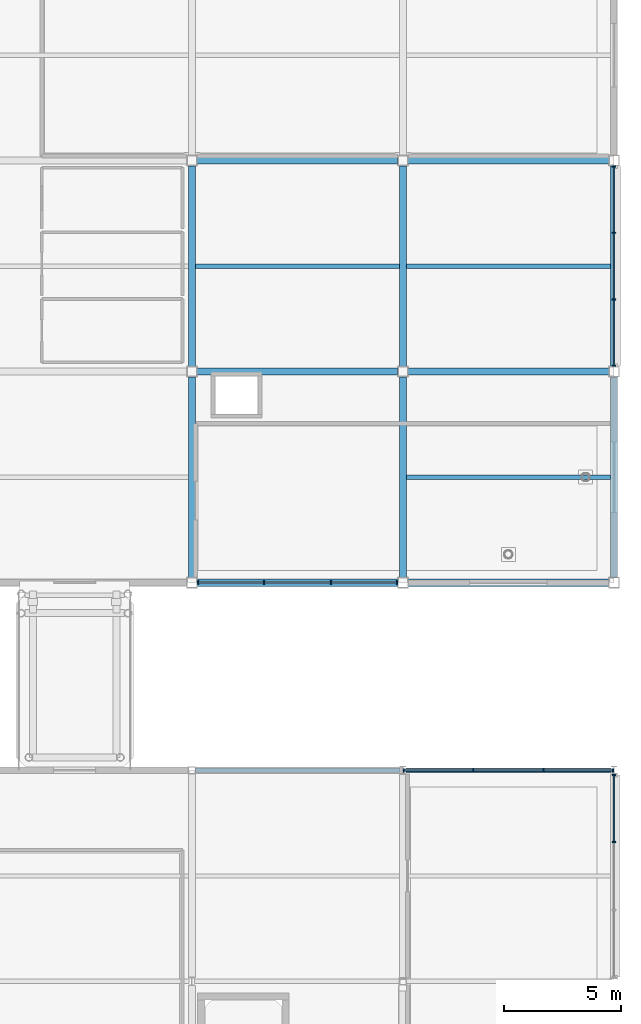
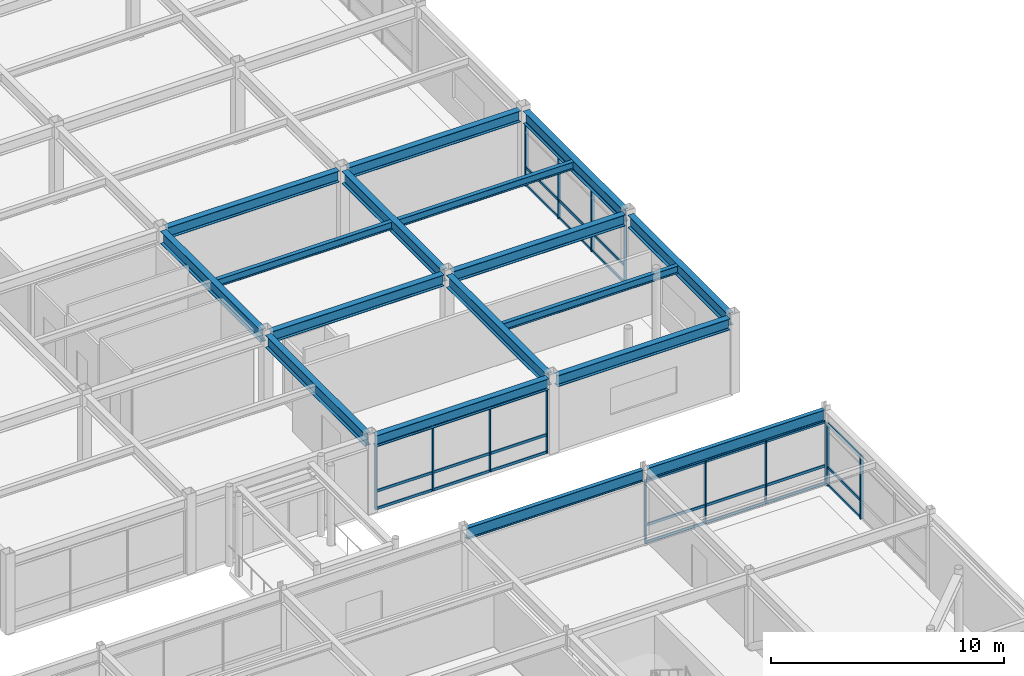
# One storey, part 57 of 108: 44 members, 17 beams, 4 elements without a shape of their own.
"""IFC4 building model written with IfcOpenShell, lengths in metres."""

from ifc_helpers import new_model, si_unit, direction, frame, origin, origin_2d, place, context, subcontext, project, spatial, rectangle, i_section, extrude, material, material_profile, profile_set, type_object, element, aggregate, save


model = new_model("IFC4")

# Units and contexts
model_context = context("Model", 3, precision=1e-05, world=origin(), true_north=direction((0.0, 1.0)))
body_context = subcontext(model_context, "Body", "Model", "MODEL_VIEW")
ifc_project = project(units=[si_unit("LENGTHUNIT", "METRE"), si_unit("AREAUNIT", "SQUARE_METRE"), si_unit("VOLUMEUNIT", "CUBIC_METRE"), si_unit("PLANEANGLEUNIT", "RADIAN"), si_unit("MASSUNIT", "GRAM", prefix="KILO")], contexts=[model_context])

# Site, building, storey
site_placement = place(None, origin())
site = spatial("IfcSite", under=ifc_project, at=site_placement, CompositionType="ELEMENT")
building_placement = place(site_placement, origin())
building = spatial("IfcBuilding", under=site, at=building_placement, Name="Suzunagisa Mobility Hub", CompositionType="ELEMENT")
storey_placement = place(building_placement, frame((0.0, 0.0, 9.300048828125)))
storey = spatial("IfcBuildingStorey", under=building, at=storey_placement, Name="L02", CompositionType="ELEMENT", Elevation=9.300048828125)

# Curtain wall, members
ifc_material_1 = material(Name="Thermally Broken Anodized Aluminum and Low-E Glazing", Category="aluminium")
curtain_wall_type_1 = type_object("IfcCurtainWallType", Name="Unitised Curtain Wall CW-12 8750x3300", PredefinedType="USERDEFINED", material=ifc_material_1)
curtain_wall_1_placement = place(storey_placement, origin())
curtain_wall_1 = element("IfcCurtainWall", 1, at=curtain_wall_1_placement, inside=storey, type_object=curtain_wall_type_1, Name="L02 Unitised Curtain Wall CW-159", ObjectType="UNITISED CURTAIN WALL", PredefinedType="USERDEFINED")
ifc_material_2 = material(Name="Anodized Aluminum 6063-T6", Category="aluminium")
ifc_material_profile_1 = material_profile(ifc_material_2, rectangle(XDim=0.06494140625, YDim=0.139892578125, at=origin_2d()), Name="TRAN-65x140")
ifc_profile_set_1 = profile_set([ifc_material_profile_1], Name="Anodized Aluminum 6063-T6")
member_type_1 = type_object("IfcMemberType", Name="Curtain Wall Framing CM-01 TRAN-65x140", PredefinedType="USERDEFINED", material=ifc_profile_set_1)
member_1_placement = place(storey_placement, frame((180.0, 32.964599609375, 0.032470703125), z_axis=(0.0, 1.0, 0.0), x_axis=(-1.0, 0.0, 0.0)))
member_1 = element("IfcMember", 2, at=member_1_placement, type_object=member_type_1, Name="Curtain Wall Transom 159-T3.1", ObjectType="TRANSOM", PredefinedType="USERDEFINED", context=body_context, shape_type="SweptSolid", body=[
    extrude(rectangle(XDim=0.06494140625, YDim=0.139892578125, at=origin_2d()), origin(), (0.0, 0.0, 1.0), 2.807373046875),
])
member_2_placement = place(storey_placement, frame((180.0, 32.964599609375, 0.949951171875), z_axis=(0.0, 1.0, 0.0), x_axis=(-1.0, 0.0, 0.0)))
member_2 = element("IfcMember", 3, at=member_2_placement, type_object=member_type_1, Name="Curtain Wall Transom 159-T3.2", ObjectType="TRANSOM", PredefinedType="USERDEFINED", context=body_context, shape_type="SweptSolid", body=[
    extrude(rectangle(XDim=0.06494140625, YDim=0.139892578125, at=origin_2d()), origin(), (0.0, 0.0, 1.0), 2.807373046875),
])
member_3_placement = place(storey_placement, frame((180.0, 32.964599609375, 3.257568359375), z_axis=(0.0, 1.0, 0.0), x_axis=(-1.0, 0.0, 0.0)))
member_3 = element("IfcMember", 4, at=member_3_placement, type_object=member_type_1, Name="Curtain Wall Transom 159-T3.3", ObjectType="TRANSOM", PredefinedType="USERDEFINED", context=body_context, shape_type="SweptSolid", body=[
    extrude(rectangle(XDim=0.06494140625, YDim=0.139892578125, at=origin_2d()), origin(), (0.0, 0.0, 1.0), 2.807373046875),
])

curtain_wall_type_2 = type_object("IfcCurtainWallType", Name="Unitised Curtain Wall CW-11 9000x3300", PredefinedType="USERDEFINED", material=ifc_material_1)
curtain_wall_2_placement = place(storey_placement, origin())
curtain_wall_2 = element("IfcCurtainWall", 5, at=curtain_wall_2_placement, inside=storey, type_object=curtain_wall_type_2, Name="L02 Unitised Curtain Wall CW-160", ObjectType="UNITISED CURTAIN WALL", PredefinedType="USERDEFINED")
member_4_placement = place(storey_placement, frame((179.9375, 36.0, 0.032470703125), z_axis=(-1.0, 0.0, 0.0), x_axis=(0.0, -1.0, 0.0)))
member_4 = element("IfcMember", 6, at=member_4_placement, type_object=member_type_1, Name="Curtain Wall Transom 160-T1.1", ObjectType="TRANSOM", PredefinedType="USERDEFINED", context=body_context, shape_type="SweptSolid", body=[
    extrude(rectangle(XDim=0.06494140625, YDim=0.139892578125, at=origin_2d()), origin(), (0.0, 0.0, 1.0), 2.910888671875),
])
member_5_placement = place(storey_placement, frame((179.9375, 36.0, 0.949951171875), z_axis=(-1.0, 0.0, 0.0), x_axis=(0.0, -1.0, 0.0)))
member_5 = element("IfcMember", 7, at=member_5_placement, type_object=member_type_1, Name="Curtain Wall Transom 160-T1.2", ObjectType="TRANSOM", PredefinedType="USERDEFINED", context=body_context, shape_type="SweptSolid", body=[
    extrude(rectangle(XDim=0.06494140625, YDim=0.139892578125, at=origin_2d()), origin(), (0.0, 0.0, 1.0), 2.910888671875),
])
member_6_placement = place(storey_placement, frame((179.9375, 36.0, 3.257568359375), z_axis=(-1.0, 0.0, 0.0), x_axis=(0.0, -1.0, 0.0)))
member_6 = element("IfcMember", 8, at=member_6_placement, type_object=member_type_1, Name="Curtain Wall Transom 160-T1.3", ObjectType="TRANSOM", PredefinedType="USERDEFINED", context=body_context, shape_type="SweptSolid", body=[
    extrude(rectangle(XDim=0.06494140625, YDim=0.139892578125, at=origin_2d()), origin(), (0.0, 0.0, 1.0), 2.910888671875),
])
member_7_placement = place(storey_placement, frame((176.970458984375, 36.0, 0.032470703125), z_axis=(-1.0, 0.0, 0.0), x_axis=(0.0, -1.0, 0.0)))
member_7 = element("IfcMember", 9, at=member_7_placement, type_object=member_type_1, Name="Curtain Wall Transom 160-T2.1", ObjectType="TRANSOM", PredefinedType="USERDEFINED", context=body_context, shape_type="SweptSolid", body=[
    extrude(rectangle(XDim=0.06494140625, YDim=0.139892578125, at=origin_2d()), origin(), (0.0, 0.0, 1.0), 2.94091796875),
])
member_8_placement = place(storey_placement, frame((176.970458984375, 36.0, 0.949951171875), z_axis=(-1.0, 0.0, 0.0), x_axis=(0.0, -1.0, 0.0)))
member_8 = element("IfcMember", 10, at=member_8_placement, type_object=member_type_1, Name="Curtain Wall Transom 160-T2.2", ObjectType="TRANSOM", PredefinedType="USERDEFINED", context=body_context, shape_type="SweptSolid", body=[
    extrude(rectangle(XDim=0.06494140625, YDim=0.139892578125, at=origin_2d()), origin(), (0.0, 0.0, 1.0), 2.94091796875),
])
member_9_placement = place(storey_placement, frame((176.970458984375, 36.0, 3.257568359375), z_axis=(-1.0, 0.0, 0.0), x_axis=(0.0, -1.0, 0.0)))
member_9 = element("IfcMember", 11, at=member_9_placement, type_object=member_type_1, Name="Curtain Wall Transom 160-T2.3", ObjectType="TRANSOM", PredefinedType="USERDEFINED", context=body_context, shape_type="SweptSolid", body=[
    extrude(rectangle(XDim=0.06494140625, YDim=0.139892578125, at=origin_2d()), origin(), (0.0, 0.0, 1.0), 2.94091796875),
])
member_10_placement = place(storey_placement, frame((173.973388671875, 36.0, 0.032470703125), z_axis=(-1.0, 0.0, 0.0), x_axis=(0.0, -1.0, 0.0)))
member_10 = element("IfcMember", 12, at=member_10_placement, type_object=member_type_1, Name="Curtain Wall Transom 160-T3.1", ObjectType="TRANSOM", PredefinedType="USERDEFINED", context=body_context, shape_type="SweptSolid", body=[
    extrude(rectangle(XDim=0.06494140625, YDim=0.139892578125, at=origin_2d()), origin(), (0.0, 0.0, 1.0), 2.910888671875),
])
member_11_placement = place(storey_placement, frame((173.973388671875, 36.0, 0.949951171875), z_axis=(-1.0, 0.0, 0.0), x_axis=(0.0, -1.0, 0.0)))
member_11 = element("IfcMember", 13, at=member_11_placement, type_object=member_type_1, Name="Curtain Wall Transom 160-T3.2", ObjectType="TRANSOM", PredefinedType="USERDEFINED", context=body_context, shape_type="SweptSolid", body=[
    extrude(rectangle(XDim=0.06494140625, YDim=0.139892578125, at=origin_2d()), origin(), (0.0, 0.0, 1.0), 2.910888671875),
])
member_12_placement = place(storey_placement, frame((173.973388671875, 36.0, 3.257568359375), z_axis=(-1.0, 0.0, 0.0), x_axis=(0.0, -1.0, 0.0)))
member_12 = element("IfcMember", 14, at=member_12_placement, type_object=member_type_1, Name="Curtain Wall Transom 160-T3.3", ObjectType="TRANSOM", PredefinedType="USERDEFINED", context=body_context, shape_type="SweptSolid", body=[
    extrude(rectangle(XDim=0.06494140625, YDim=0.139892578125, at=origin_2d()), origin(), (0.0, 0.0, 1.0), 2.910888671875),
])

curtain_wall_type_3 = type_object("IfcCurtainWallType", Name="Unitised Curtain Wall CW-29 8500x3400", PredefinedType="USERDEFINED", material=ifc_material_1)
curtain_wall_3_placement = place(storey_placement, origin())
curtain_wall_3 = element("IfcCurtainWall", 15, at=curtain_wall_3_placement, inside=storey, type_object=curtain_wall_type_3, Name="L02 Unitised Curtain Wall CW-197", ObjectType="UNITISED CURTAIN WALL", PredefinedType="USERDEFINED")
member_13_placement = place(storey_placement, frame((162.282958984375, 44.0, 0.032470703125), z_axis=(1.0, 0.0, 0.0), x_axis=(0.0, 1.0, 0.0)))
member_13 = element("IfcMember", 16, at=member_13_placement, type_object=member_type_1, Name="Curtain Wall Transom 197-T1.1", ObjectType="TRANSOM", PredefinedType="USERDEFINED", context=body_context, shape_type="SweptSolid", body=[
    extrude(rectangle(XDim=0.06494140625, YDim=0.139892578125, at=origin_2d()), origin(), (0.0, 0.0, 1.0), 2.76416015625),
])
member_14_placement = place(storey_placement, frame((162.282958984375, 44.0, 0.949951171875), z_axis=(1.0, 0.0, 0.0), x_axis=(0.0, 1.0, 0.0)))
member_14 = element("IfcMember", 17, at=member_14_placement, type_object=member_type_1, Name="Curtain Wall Transom 197-T1.2", ObjectType="TRANSOM", PredefinedType="USERDEFINED", context=body_context, shape_type="SweptSolid", body=[
    extrude(rectangle(XDim=0.06494140625, YDim=0.139892578125, at=origin_2d()), origin(), (0.0, 0.0, 1.0), 2.76416015625),
])
member_15_placement = place(storey_placement, frame((162.282958984375, 44.0, 3.329345703125), z_axis=(1.0, 0.0, 0.0), x_axis=(0.0, 1.0, 0.0)))
member_15 = element("IfcMember", 18, at=member_15_placement, type_object=member_type_1, Name="Curtain Wall Transom 197-T1.3", ObjectType="TRANSOM", PredefinedType="USERDEFINED", context=body_context, shape_type="SweptSolid", body=[
    extrude(rectangle(XDim=0.06494140625, YDim=0.139892578125, at=origin_2d()), origin(), (0.0, 0.0, 1.0), 2.76416015625),
])
member_16_placement = place(storey_placement, frame((165.10302734375, 44.0, 0.032470703125), z_axis=(1.0, 0.0, 0.0), x_axis=(0.0, 1.0, 0.0)))
member_16 = element("IfcMember", 19, at=member_16_placement, type_object=member_type_1, Name="Curtain Wall Transom 197-T2.1", ObjectType="TRANSOM", PredefinedType="USERDEFINED", context=body_context, shape_type="SweptSolid", body=[
    extrude(rectangle(XDim=0.06494140625, YDim=0.139892578125, at=origin_2d()), origin(), (0.0, 0.0, 1.0), 2.7939453125),
])
member_17_placement = place(storey_placement, frame((165.10302734375, 44.0, 0.949951171875), z_axis=(1.0, 0.0, 0.0), x_axis=(0.0, 1.0, 0.0)))
member_17 = element("IfcMember", 20, at=member_17_placement, type_object=member_type_1, Name="Curtain Wall Transom 197-T2.2", ObjectType="TRANSOM", PredefinedType="USERDEFINED", context=body_context, shape_type="SweptSolid", body=[
    extrude(rectangle(XDim=0.06494140625, YDim=0.139892578125, at=origin_2d()), origin(), (0.0, 0.0, 1.0), 2.7939453125),
])
member_18_placement = place(storey_placement, frame((165.10302734375, 44.0, 3.329345703125), z_axis=(1.0, 0.0, 0.0), x_axis=(0.0, 1.0, 0.0)))
member_18 = element("IfcMember", 21, at=member_18_placement, type_object=member_type_1, Name="Curtain Wall Transom 197-T2.3", ObjectType="TRANSOM", PredefinedType="USERDEFINED", context=body_context, shape_type="SweptSolid", body=[
    extrude(rectangle(XDim=0.06494140625, YDim=0.139892578125, at=origin_2d()), origin(), (0.0, 0.0, 1.0), 2.7939453125),
])
member_19_placement = place(storey_placement, frame((167.952880859375, 44.0, 0.032470703125), z_axis=(1.0, 0.0, 0.0), x_axis=(0.0, 1.0, 0.0)))
member_19 = element("IfcMember", 22, at=member_19_placement, type_object=member_type_1, Name="Curtain Wall Transom 197-T3.1", ObjectType="TRANSOM", PredefinedType="USERDEFINED", context=body_context, shape_type="SweptSolid", body=[
    extrude(rectangle(XDim=0.06494140625, YDim=0.139892578125, at=origin_2d()), origin(), (0.0, 0.0, 1.0), 2.76416015625),
])
member_20_placement = place(storey_placement, frame((167.952880859375, 44.0, 0.949951171875), z_axis=(1.0, 0.0, 0.0), x_axis=(0.0, 1.0, 0.0)))
member_20 = element("IfcMember", 23, at=member_20_placement, type_object=member_type_1, Name="Curtain Wall Transom 197-T3.2", ObjectType="TRANSOM", PredefinedType="USERDEFINED", context=body_context, shape_type="SweptSolid", body=[
    extrude(rectangle(XDim=0.06494140625, YDim=0.139892578125, at=origin_2d()), origin(), (0.0, 0.0, 1.0), 2.76416015625),
])
member_21_placement = place(storey_placement, frame((167.952880859375, 44.0, 3.329345703125), z_axis=(1.0, 0.0, 0.0), x_axis=(0.0, 1.0, 0.0)))
member_21 = element("IfcMember", 24, at=member_21_placement, type_object=member_type_1, Name="Curtain Wall Transom 197-T3.3", ObjectType="TRANSOM", PredefinedType="USERDEFINED", context=body_context, shape_type="SweptSolid", body=[
    extrude(rectangle(XDim=0.06494140625, YDim=0.139892578125, at=origin_2d()), origin(), (0.0, 0.0, 1.0), 2.76416015625),
])

curtain_wall_type_4 = type_object("IfcCurtainWallType", Name="Unitised Curtain Wall CW-43 8500x3300", PredefinedType="USERDEFINED", material=ifc_material_1)
curtain_wall_4_placement = place(storey_placement, origin())
curtain_wall_4 = element("IfcCurtainWall", 25, at=curtain_wall_4_placement, inside=storey, type_object=curtain_wall_type_4, Name="L02 Unitised Curtain Wall CW-198", ObjectType="UNITISED CURTAIN WALL", PredefinedType="USERDEFINED")
member_22_placement = place(storey_placement, frame((180.0, 53.282958984375, 0.032470703125), z_axis=(0.0, 1.0, 0.0), x_axis=(-1.0, 0.0, 0.0)))
member_22 = element("IfcMember", 26, at=member_22_placement, type_object=member_type_1, Name="Curtain Wall Transom 198-T1.1", ObjectType="TRANSOM", PredefinedType="USERDEFINED", context=body_context, shape_type="SweptSolid", body=[
    extrude(rectangle(XDim=0.06494140625, YDim=0.139892578125, at=origin_2d()), origin(), (0.0, 0.0, 1.0), 2.76416015625),
])
member_23_placement = place(storey_placement, frame((180.0, 53.282958984375, 0.949951171875), z_axis=(0.0, 1.0, 0.0), x_axis=(-1.0, 0.0, 0.0)))
member_23 = element("IfcMember", 27, at=member_23_placement, type_object=member_type_1, Name="Curtain Wall Transom 198-T1.2", ObjectType="TRANSOM", PredefinedType="USERDEFINED", context=body_context, shape_type="SweptSolid", body=[
    extrude(rectangle(XDim=0.06494140625, YDim=0.139892578125, at=origin_2d()), origin(), (0.0, 0.0, 1.0), 2.76416015625),
])
member_24_placement = place(storey_placement, frame((180.0, 53.282958984375, 3.267333984375), z_axis=(0.0, 1.0, 0.0), x_axis=(-1.0, 0.0, 0.0)))
member_24 = element("IfcMember", 28, at=member_24_placement, type_object=member_type_1, Name="Curtain Wall Transom 198-T1.3", ObjectType="TRANSOM", PredefinedType="USERDEFINED", context=body_context, shape_type="SweptSolid", body=[
    extrude(rectangle(XDim=0.06494140625, YDim=0.139892578125, at=origin_2d()), origin(), (0.0, 0.0, 1.0), 2.76416015625),
])
member_25_placement = place(storey_placement, frame((180.0, 56.10302734375, 0.032470703125), z_axis=(0.0, 1.0, 0.0), x_axis=(-1.0, 0.0, 0.0)))
member_25 = element("IfcMember", 29, at=member_25_placement, type_object=member_type_1, Name="Curtain Wall Transom 198-T2.1", ObjectType="TRANSOM", PredefinedType="USERDEFINED", context=body_context, shape_type="SweptSolid", body=[
    extrude(rectangle(XDim=0.06494140625, YDim=0.139892578125, at=origin_2d()), origin(), (0.0, 0.0, 1.0), 2.7939453125),
])
member_26_placement = place(storey_placement, frame((180.0, 56.10302734375, 0.949951171875), z_axis=(0.0, 1.0, 0.0), x_axis=(-1.0, 0.0, 0.0)))
member_26 = element("IfcMember", 30, at=member_26_placement, type_object=member_type_1, Name="Curtain Wall Transom 198-T2.2", ObjectType="TRANSOM", PredefinedType="USERDEFINED", context=body_context, shape_type="SweptSolid", body=[
    extrude(rectangle(XDim=0.06494140625, YDim=0.139892578125, at=origin_2d()), origin(), (0.0, 0.0, 1.0), 2.7939453125),
])
member_27_placement = place(storey_placement, frame((180.0, 56.10302734375, 3.267333984375), z_axis=(0.0, 1.0, 0.0), x_axis=(-1.0, 0.0, 0.0)))
member_27 = element("IfcMember", 31, at=member_27_placement, type_object=member_type_1, Name="Curtain Wall Transom 198-T2.3", ObjectType="TRANSOM", PredefinedType="USERDEFINED", context=body_context, shape_type="SweptSolid", body=[
    extrude(rectangle(XDim=0.06494140625, YDim=0.139892578125, at=origin_2d()), origin(), (0.0, 0.0, 1.0), 2.7939453125),
])
member_28_placement = place(storey_placement, frame((180.0, 58.952880859375, 0.032470703125), z_axis=(0.0, 1.0, 0.0), x_axis=(-1.0, 0.0, 0.0)))
member_28 = element("IfcMember", 32, at=member_28_placement, type_object=member_type_1, Name="Curtain Wall Transom 198-T3.1", ObjectType="TRANSOM", PredefinedType="USERDEFINED", context=body_context, shape_type="SweptSolid", body=[
    extrude(rectangle(XDim=0.06494140625, YDim=0.139892578125, at=origin_2d()), origin(), (0.0, 0.0, 1.0), 2.76416015625),
])
member_29_placement = place(storey_placement, frame((180.0, 58.952880859375, 0.949951171875), z_axis=(0.0, 1.0, 0.0), x_axis=(-1.0, 0.0, 0.0)))
member_29 = element("IfcMember", 33, at=member_29_placement, type_object=member_type_1, Name="Curtain Wall Transom 198-T3.2", ObjectType="TRANSOM", PredefinedType="USERDEFINED", context=body_context, shape_type="SweptSolid", body=[
    extrude(rectangle(XDim=0.06494140625, YDim=0.139892578125, at=origin_2d()), origin(), (0.0, 0.0, 1.0), 2.76416015625),
])
member_30_placement = place(storey_placement, frame((180.0, 58.952880859375, 3.267333984375), z_axis=(0.0, 1.0, 0.0), x_axis=(-1.0, 0.0, 0.0)))
member_30 = element("IfcMember", 34, at=member_30_placement, type_object=member_type_1, Name="Curtain Wall Transom 198-T3.3", ObjectType="TRANSOM", PredefinedType="USERDEFINED", context=body_context, shape_type="SweptSolid", body=[
    extrude(rectangle(XDim=0.06494140625, YDim=0.139892578125, at=origin_2d()), origin(), (0.0, 0.0, 1.0), 2.76416015625),
])

# Member
ifc_material_profile_2 = material_profile(ifc_material_2, rectangle(XDim=0.06005859375, YDim=0.14990234375, at=origin_2d()), Name="MULL-60x150")
ifc_profile_set_2 = profile_set([ifc_material_profile_2], Name="Anodized Aluminum 6063-T6")
member_type_2 = type_object("IfcMemberType", Name="Curtain Wall Framing CM-03 MULL-60x150", PredefinedType="MULLION", material=ifc_profile_set_2)
member_31_placement = place(storey_placement, frame((180.0, 32.936767578125, 0.0), z_axis=(0.0, 0.0, 1.0), x_axis=(0.0, 1.0, 0.0)))
member_31 = element("IfcMember", 35, at=member_31_placement, type_object=member_type_2, Name="Curtain Wall Mullion 159-M3", PredefinedType="MULLION", context=body_context, shape_type="SweptSolid", body=[
    extrude(rectangle(XDim=0.06005859375, YDim=0.14990234375, at=origin_2d()), origin(), (0.0, 0.0, 1.0), 3.2900390625),
])

member_32_placement = place(storey_placement, frame((180.0, 35.800048828125, 0.0), z_axis=(0.0, 0.0, 1.0), x_axis=(0.0, 1.0, 0.0)))
member_32 = element("IfcMember", 36, at=member_32_placement, type_object=member_type_2, Name="Curtain Wall Mullion 159-M4", PredefinedType="MULLION", context=body_context, shape_type="SweptSolid", body=[
    extrude(rectangle(XDim=0.06005859375, YDim=0.14990234375, at=origin_2d()), origin(), (0.0, 0.0, 1.0), 3.2900390625),
])

aggregate(curtain_wall_1, [member_31, member_32, member_1, member_2, member_3])

member_33_placement = place(storey_placement, frame((179.965576171875, 36.0, 0.0), z_axis=(0.0, 0.0, 1.0), x_axis=(-1.0, 0.0, 0.0)))
member_33 = element("IfcMember", 37, at=member_33_placement, type_object=member_type_2, Name="Curtain Wall Mullion 160-M1", PredefinedType="MULLION", context=body_context, shape_type="SweptSolid", body=[
    extrude(rectangle(XDim=0.06005859375, YDim=0.14990234375, at=origin_2d()), origin(), (0.0, 0.0, 1.0), 3.2900390625),
])

member_34_placement = place(storey_placement, frame((176.99853515625, 36.0, 0.0), z_axis=(0.0, 0.0, 1.0), x_axis=(-1.0, 0.0, 0.0)))
member_34 = element("IfcMember", 38, at=member_34_placement, type_object=member_type_2, Name="Curtain Wall Mullion 160-M2", PredefinedType="MULLION", context=body_context, shape_type="SweptSolid", body=[
    extrude(rectangle(XDim=0.06005859375, YDim=0.14990234375, at=origin_2d()), origin(), (0.0, 0.0, 1.0), 3.2900390625),
])

member_35_placement = place(storey_placement, frame((174.00146484375, 36.0, 0.0), z_axis=(0.0, 0.0, 1.0), x_axis=(-1.0, 0.0, 0.0)))
member_35 = element("IfcMember", 39, at=member_35_placement, type_object=member_type_2, Name="Curtain Wall Mullion 160-M3", PredefinedType="MULLION", context=body_context, shape_type="SweptSolid", body=[
    extrude(rectangle(XDim=0.06005859375, YDim=0.14990234375, at=origin_2d()), origin(), (0.0, 0.0, 1.0), 3.2900390625),
])

member_36_placement = place(storey_placement, frame((171.034423828125, 36.0, 0.0), z_axis=(0.0, 0.0, 1.0), x_axis=(-1.0, 0.0, 0.0)))
member_36 = element("IfcMember", 40, at=member_36_placement, type_object=member_type_2, Name="Curtain Wall Mullion 160-M4", PredefinedType="MULLION", context=body_context, shape_type="SweptSolid", body=[
    extrude(rectangle(XDim=0.06005859375, YDim=0.14990234375, at=origin_2d()), origin(), (0.0, 0.0, 1.0), 3.2900390625),
])

aggregate(curtain_wall_2, [member_33, member_34, member_35, member_36, member_4, member_5, member_6, member_7, member_8, member_9, member_10, member_11, member_12])

member_37_placement = place(storey_placement, frame((162.2548828125, 44.0, 0.0), z_axis=(0.0, 0.0, 1.0), x_axis=(1.0, 0.0, 0.0)))
member_37 = element("IfcMember", 41, at=member_37_placement, type_object=member_type_2, Name="Curtain Wall Mullion 197-M1", PredefinedType="MULLION", context=body_context, shape_type="SweptSolid", body=[
    extrude(rectangle(XDim=0.06005859375, YDim=0.14990234375, at=origin_2d()), origin(), (0.0, 0.0, 1.0), 3.362060546875),
])

member_38_placement = place(storey_placement, frame((165.074951171875, 44.0, 0.0), z_axis=(0.0, 0.0, 1.0), x_axis=(1.0, 0.0, 0.0)))
member_38 = element("IfcMember", 42, at=member_38_placement, type_object=member_type_2, Name="Curtain Wall Mullion 197-M2", PredefinedType="MULLION", context=body_context, shape_type="SweptSolid", body=[
    extrude(rectangle(XDim=0.06005859375, YDim=0.14990234375, at=origin_2d()), origin(), (0.0, 0.0, 1.0), 3.362060546875),
])

member_39_placement = place(storey_placement, frame((167.925048828125, 44.0, 0.0), z_axis=(0.0, 0.0, 1.0), x_axis=(1.0, 0.0, 0.0)))
member_39 = element("IfcMember", 43, at=member_39_placement, type_object=member_type_2, Name="Curtain Wall Mullion 197-M3", PredefinedType="MULLION", context=body_context, shape_type="SweptSolid", body=[
    extrude(rectangle(XDim=0.06005859375, YDim=0.14990234375, at=origin_2d()), origin(), (0.0, 0.0, 1.0), 3.362060546875),
])

member_40_placement = place(storey_placement, frame((170.7451171875, 44.0, 0.0), z_axis=(0.0, 0.0, 1.0), x_axis=(1.0, 0.0, 0.0)))
member_40 = element("IfcMember", 44, at=member_40_placement, type_object=member_type_2, Name="Curtain Wall Mullion 197-M4", PredefinedType="MULLION", context=body_context, shape_type="SweptSolid", body=[
    extrude(rectangle(XDim=0.06005859375, YDim=0.14990234375, at=origin_2d()), origin(), (0.0, 0.0, 1.0), 3.362060546875),
])

aggregate(curtain_wall_3, [member_37, member_38, member_39, member_40, member_13, member_14, member_15, member_16, member_17, member_18, member_19, member_20, member_21])

member_41_placement = place(storey_placement, frame((180.0, 53.2548828125, 0.0), z_axis=(0.0, 0.0, 1.0), x_axis=(0.0, 1.0, 0.0)))
member_41 = element("IfcMember", 45, at=member_41_placement, type_object=member_type_2, Name="Curtain Wall Mullion 198-M1", PredefinedType="MULLION", context=body_context, shape_type="SweptSolid", body=[
    extrude(rectangle(XDim=0.06005859375, YDim=0.14990234375, at=origin_2d()), origin(), (0.0, 0.0, 1.0), 3.300048828125),
])

member_42_placement = place(storey_placement, frame((180.0, 56.074951171875, 0.0), z_axis=(0.0, 0.0, 1.0), x_axis=(0.0, 1.0, 0.0)))
member_42 = element("IfcMember", 46, at=member_42_placement, type_object=member_type_2, Name="Curtain Wall Mullion 198-M2", PredefinedType="MULLION", context=body_context, shape_type="SweptSolid", body=[
    extrude(rectangle(XDim=0.06005859375, YDim=0.14990234375, at=origin_2d()), origin(), (0.0, 0.0, 1.0), 3.300048828125),
])

member_43_placement = place(storey_placement, frame((180.0, 58.925048828125, 0.0), z_axis=(0.0, 0.0, 1.0), x_axis=(0.0, 1.0, 0.0)))
member_43 = element("IfcMember", 47, at=member_43_placement, type_object=member_type_2, Name="Curtain Wall Mullion 198-M3", PredefinedType="MULLION", context=body_context, shape_type="SweptSolid", body=[
    extrude(rectangle(XDim=0.06005859375, YDim=0.14990234375, at=origin_2d()), origin(), (0.0, 0.0, 1.0), 3.300048828125),
])

member_44_placement = place(storey_placement, frame((180.0, 61.7451171875, 0.0), z_axis=(0.0, 0.0, 1.0), x_axis=(0.0, 1.0, 0.0)))
member_44 = element("IfcMember", 48, at=member_44_placement, type_object=member_type_2, Name="Curtain Wall Mullion 198-M4", PredefinedType="MULLION", context=body_context, shape_type="SweptSolid", body=[
    extrude(rectangle(XDim=0.06005859375, YDim=0.14990234375, at=origin_2d()), origin(), (0.0, 0.0, 1.0), 3.300048828125),
])

aggregate(curtain_wall_4, [member_41, member_42, member_43, member_44, member_22, member_23, member_24, member_25, member_26, member_27, member_28, member_29, member_30])

# Beams
ifc_material_3 = material(Name="Steel SN490B", Category="steel")
ifc_material_profile_3 = material_profile(ifc_material_3, i_section(OverallWidth=0.199951171875, OverallDepth=0.60009765625, WebThickness=0.010986328125, FlangeThickness=0.01708984375, FilletRadius=0.012939453125, at=origin_2d()), Name="H-600x200x11x17")
ifc_profile_set_3 = profile_set([ifc_material_profile_3], Name="Steel SN490B")
beam_type_1 = type_object("IfcBeamType", Name="Steel Beam BM-07 H-600x200x11x17", PredefinedType="BEAM", material=ifc_profile_set_3)
beam_1_placement = place(storey_placement, frame((162.14599609375, 36.0, 3.64990234375), z_axis=(1.0, 0.0, 0.0), x_axis=(0.0, 1.0, 0.0)))
element("IfcBeam", 49, at=beam_1_placement, inside=storey, type_object=beam_type_1, Name="L02 Primary Girder GX-1547", PredefinedType="BEAM", context=body_context, shape_type="SweptSolid", body=[
    extrude(i_section(OverallWidth=0.199951171875, OverallDepth=0.60009765625, WebThickness=0.010986328125, FlangeThickness=0.01708984375, FilletRadius=0.012939453125, at=origin_2d()), origin(), (0.0, 0.0, 1.0), 8.73291015625),
])
beam_2_placement = place(storey_placement, frame((171.12109375, 36.0, 3.64990234375), z_axis=(1.0, 0.0, 0.0), x_axis=(0.0, 1.0, 0.0)))
element("IfcBeam", 50, at=beam_2_placement, inside=storey, type_object=beam_type_1, Name="L02 Primary Girder GX-1548", PredefinedType="BEAM", context=body_context, shape_type="SweptSolid", body=[
    extrude(i_section(OverallWidth=0.199951171875, OverallDepth=0.60009765625, WebThickness=0.010986328125, FlangeThickness=0.01708984375, FilletRadius=0.012939453125, at=origin_2d()), origin(), (0.0, 0.0, 1.0), 8.7578125),
])
ifc_material_profile_4 = material_profile(ifc_material_3, i_section(OverallWidth=0.300048828125, OverallDepth=0.64990234375, WebThickness=0.012939453125, FlangeThickness=0.02197265625, FilletRadius=0.01611328125, at=origin_2d()), Name="H-650x300x13x22")
ifc_profile_set_4 = profile_set([ifc_material_profile_4], Name="Steel SN490B")
beam_type_2 = type_object("IfcBeamType", Name="Steel Beam BM-10 H-650x300x13x22", PredefinedType="BEAM", material=ifc_profile_set_4)
for number, where, z_axis, x_axis, name in (
    (51, (162.0, 44.220947265625, 3.625), (0.0, 1.0, 0.0), (-1.0, 0.0, 0.0), "L02 Primary Girder GY-1924"),
    (52, (162.0, 53.220947265625, 3.625), (0.0, 1.0, 0.0), (-1.0, 0.0, 0.0), "L02 Primary Girder GY-1925"),
    (53, (171.0, 44.220947265625, 3.625), (0.0, 1.0, 0.0), (-1.0, 0.0, 0.0), "L02 Primary Girder GY-1930"),
    (54, (171.0, 53.220947265625, 3.625), (0.0, 1.0, 0.0), (-1.0, 0.0, 0.0), "L02 Primary Girder GY-1931"),
    (55, (180.0, 44.220947265625, 3.625), (0.0, 1.0, 0.0), (-1.0, 0.0, 0.0), "L02 Primary Girder GY-1936"),
    (56, (180.0, 53.220947265625, 3.625), (0.0, 1.0, 0.0), (-1.0, 0.0, 0.0), "L02 Primary Girder GY-1937"),
):
    element("IfcBeam", number, at=place(storey_placement, frame(where, z_axis=z_axis, x_axis=x_axis)), inside=storey, type_object=beam_type_2, Name=name, PredefinedType="BEAM", context=body_context, shape_type="SweptSolid", body=[
        extrude(i_section(OverallWidth=0.300048828125, OverallDepth=0.64990234375, WebThickness=0.012939453125, FlangeThickness=0.02197265625, FilletRadius=0.01611328125, at=origin_2d()), origin(), (0.0, 0.0, 1.0), 8.55810546875),
    ])
ifc_material_4 = material(Name="Steel SN400B", Category="steel")
ifc_material_profile_5 = material_profile(ifc_material_4, i_section(OverallWidth=0.199951171875, OverallDepth=0.39990234375, WebThickness=0.008056640625, FlangeThickness=0.012939453125, FilletRadius=0.012939453125, at=origin_2d()), Name="H-400x200x8x13")
ifc_profile_set_5 = profile_set([ifc_material_profile_5], Name="Steel SN400B")
beam_type_3 = type_object("IfcBeamType", Name="Steel Beam BM-14 H-400x200x8x13", PredefinedType="JOIST", material=ifc_profile_set_5)
for number, where, z_axis, x_axis, name in (
    (57, (162.14990234375, 57.5, 3.75), (1.0, 0.0, 0.0), (0.0, 1.0, 0.0), "L02 Composite Floor Joist J-1951"),
    (58, (171.14990234375, 48.5, 3.75), (1.0, 0.0, 0.0), (0.0, 1.0, 0.0), "L02 Composite Floor Joist J-1956"),
    (59, (171.14990234375, 57.5, 3.75), (1.0, 0.0, 0.0), (0.0, 1.0, 0.0), "L02 Composite Floor Joist J-1957"),
):
    element("IfcBeam", number, at=place(storey_placement, frame(where, z_axis=z_axis, x_axis=x_axis)), inside=storey, type_object=beam_type_3, Name=name, PredefinedType="JOIST", context=body_context, shape_type="SweptSolid", body=[
        extrude(i_section(OverallWidth=0.199951171875, OverallDepth=0.39990234375, WebThickness=0.008056640625, FlangeThickness=0.012939453125, FilletRadius=0.012939453125, at=origin_2d()), origin(), (0.0, 0.0, 1.0), 8.7001953125),
    ])
ifc_material_profile_6 = material_profile(ifc_material_3, i_section(OverallWidth=0.300048828125, OverallDepth=0.587890625, WebThickness=0.011962890625, FlangeThickness=0.02001953125, FilletRadius=0.012939453125, at=origin_2d()), Name="H-588x300x12x20")
ifc_profile_set_6 = profile_set([ifc_material_profile_6], Name="Steel SN490B")
beam_type_4 = type_object("IfcBeamType", Name="Steel Beam BM-16 H-588x300x12x20", PredefinedType="BEAM", material=ifc_profile_set_6)
for number, where, z_axis, x_axis, name in (
    (60, (162.220947265625, 44.0, 3.656005859375), (1.0, 0.0, 0.0), (0.0, 1.0, 0.0), "L02 Primary Girder GX-1886"),
    (61, (171.220947265625, 44.0, 3.656005859375), (1.0, 0.0, 0.0), (0.0, 1.0, 0.0), "L02 Primary Girder GX-1887"),
    (62, (162.220947265625, 53.0, 3.656005859375), (1.0, 0.0, 0.0), (0.0, 1.0, 0.0), "L02 Primary Girder GX-1890"),
    (63, (171.220947265625, 53.0, 3.656005859375), (1.0, 0.0, 0.0), (0.0, 1.0, 0.0), "L02 Primary Girder GX-1891"),
    (64, (162.220947265625, 62.0, 3.656005859375), (1.0, 0.0, 0.0), (0.0, 1.0, 0.0), "L02 Primary Girder GX-1894"),
    (65, (171.220947265625, 62.0, 3.656005859375), (1.0, 0.0, 0.0), (0.0, 1.0, 0.0), "L02 Primary Girder GX-1895"),
):
    element("IfcBeam", number, at=place(storey_placement, frame(where, z_axis=z_axis, x_axis=x_axis)), inside=storey, type_object=beam_type_4, Name=name, PredefinedType="BEAM", context=body_context, shape_type="SweptSolid", body=[
        extrude(i_section(OverallWidth=0.300048828125, OverallDepth=0.587890625, WebThickness=0.011962890625, FlangeThickness=0.02001953125, FilletRadius=0.012939453125, at=origin_2d()), origin(), (0.0, 0.0, 1.0), 8.55810546875),
    ])

save(model, "model.ifc")
